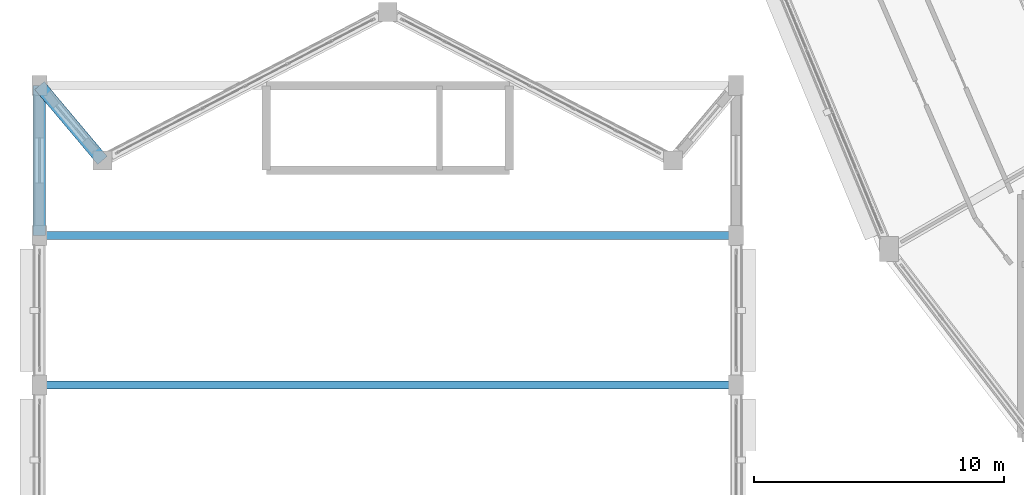
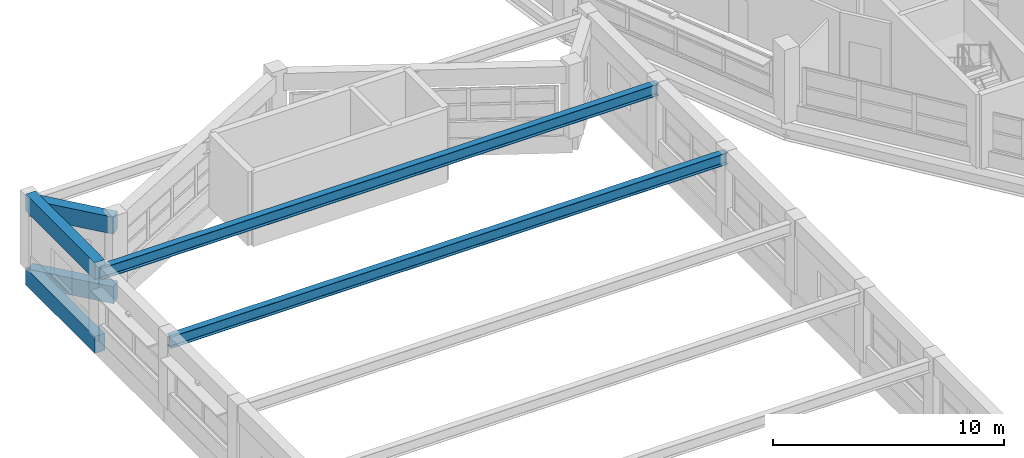
# One storey, part 21 of 108: 6 beams.
"""IFC4 building model written with IfcOpenShell, lengths in metres."""

from ifc_helpers import new_model, si_unit, direction, frame, origin, origin_2d, place, context, subcontext, project, spatial, rectangle, i_section, extrude, material, material_profile, profile_set, type_object, element, save


model = new_model("IFC4")

# Units and contexts
model_context = context("Model", 3, precision=1e-05, world=origin(), true_north=direction((0.0, 1.0)))
body_context = subcontext(model_context, "Body", "Model", "MODEL_VIEW")
ifc_project = project(units=[si_unit("LENGTHUNIT", "METRE"), si_unit("AREAUNIT", "SQUARE_METRE"), si_unit("VOLUMEUNIT", "CUBIC_METRE"), si_unit("PLANEANGLEUNIT", "RADIAN"), si_unit("MASSUNIT", "GRAM", prefix="KILO")], contexts=[model_context])

# Site, building, storey
site_placement = place(None, origin())
site = spatial("IfcSite", under=ifc_project, at=site_placement, CompositionType="ELEMENT")
building_placement = place(site_placement, origin())
building = spatial("IfcBuilding", under=site, at=building_placement, Name="Vespera Passage Community Centre", CompositionType="ELEMENT")
storey_placement = place(building_placement, frame((0.0, 0.0, 12.60009765625)))
storey = spatial("IfcBuildingStorey", under=building, at=storey_placement, Name="L03", CompositionType="ELEMENT", Elevation=12.60009765625)

# Beams
ifc_material_1 = material(Name="Steel ASTM A992 Grade 50", Category="steel")
ifc_material_profile_1 = material_profile(ifc_material_1, i_section(OverallWidth=0.323974609375, OverallDepth=0.611083984375, WebThickness=0.0126953125, FlangeThickness=0.01904296875, FilletRadius=0.0126953125, at=origin_2d()), Name="W24X104")
ifc_profile_set_1 = profile_set([ifc_material_profile_1], Name="Steel ASTM A992 Grade 50")
beam_type_1 = type_object("IfcBeamType", Name="BM-G-W24X104", PredefinedType="BEAM", material=ifc_profile_set_1)
for number, where, z_axis, x_axis, name in (
    (1, (4.050048828125, 37.0, 3.314453125), (1.0, 0.0, 0.0), (0.0, 1.0, 0.0), "Main Hall Vault Thrust Tie 6"),
    (2, (4.050048828125, 43.0, 3.314453125), (1.0, 0.0, 0.0), (0.0, 1.0, 0.0), "Main Hall Vault Thrust Tie 7"),
):
    element("IfcBeam", number, at=place(storey_placement, frame(where, z_axis=z_axis, x_axis=x_axis)), inside=storey, type_object=beam_type_1, Name=name, PredefinedType="BEAM", context=body_context, shape_type="SweptSolid", body=[
        extrude(i_section(OverallWidth=0.323974609375, OverallDepth=0.611083984375, WebThickness=0.0126953125, FlangeThickness=0.01904296875, FilletRadius=0.0126953125, at=origin_2d()), origin(), (0.0, 0.0, 1.0), 27.89990234375),
    ])
ifc_material_2 = material(Name="Concrete f'c 45 MPa", Category="concrete")
ifc_material_profile_2 = material_profile(ifc_material_2, rectangle(XDim=0.5, YDim=0.89990234375, at=origin_2d()), Name="RC500X900")
ifc_profile_set_2 = profile_set([ifc_material_profile_2], Name="Concrete f'c 45 MPa")
beam_type_2 = type_object("IfcBeamType", Name="BM-SP-500X900E", PredefinedType="SPANDREL", material=ifc_profile_set_2)
beam_1_placement = place(storey_placement, frame((4.050048828125, 43.0, 3.449951171875), z_axis=(0.0, 1.0, 0.0), x_axis=(-1.0, 0.0, 0.0)))
element("IfcBeam", 3, at=beam_1_placement, inside=storey, type_object=beam_type_2, Name="Main Hall Eave Ring Girder W7", PredefinedType="SPANDREL", context=body_context, shape_type="SweptSolid", body=[
    extrude(rectangle(XDim=0.5, YDim=0.89990234375, at=origin_2d()), origin(), (0.0, 0.0, 1.0), 6.0),
])
beam_2_placement = place(storey_placement, frame((6.57275390625, 46.00146484375, 3.22998046875), z_axis=(-0.643780739075, 0.765210010386, 0.0), x_axis=(-0.765210010386, -0.643780739075, 0.0)))
element("IfcBeam", 4, at=beam_2_placement, inside=storey, type_object=beam_type_2, Name="V1 N Apse Roof Edge Beam 4", PredefinedType="SPANDREL", context=body_context, shape_type="SweptSolid", body=[
    extrude(rectangle(XDim=0.5, YDim=0.89990234375, at=origin_2d()), origin(), (0.0, 0.0, 1.0), 3.91845703125),
])
beam_3_placement = place(storey_placement, frame((4.050048828125, 43.0, -0.4501953125), z_axis=(0.0, 1.0, 0.0), x_axis=(-1.0, 0.0, 0.0)))
element("IfcBeam", 5, at=beam_3_placement, inside=storey, type_object=beam_type_2, Name="V1 L03 Spandrel W7", PredefinedType="SPANDREL", context=body_context, shape_type="SweptSolid", body=[
    extrude(rectangle(XDim=0.5, YDim=0.89990234375, at=origin_2d()), origin(), (0.0, 0.0, 1.0), 6.0),
])
beam_4_placement = place(storey_placement, frame((6.57275390625, 46.00146484375, -0.4501953125), z_axis=(-0.643780739075, 0.765210010386, 0.0), x_axis=(-0.765210010386, -0.643780739075, 0.0)))
element("IfcBeam", 6, at=beam_4_placement, inside=storey, type_object=beam_type_2, Name="V1 L03 N Apse Spandrel 4", PredefinedType="SPANDREL", context=body_context, shape_type="SweptSolid", body=[
    extrude(rectangle(XDim=0.5, YDim=0.89990234375, at=origin_2d()), origin(), (0.0, 0.0, 1.0), 3.91845703125),
])

save(model, "model.ifc")
